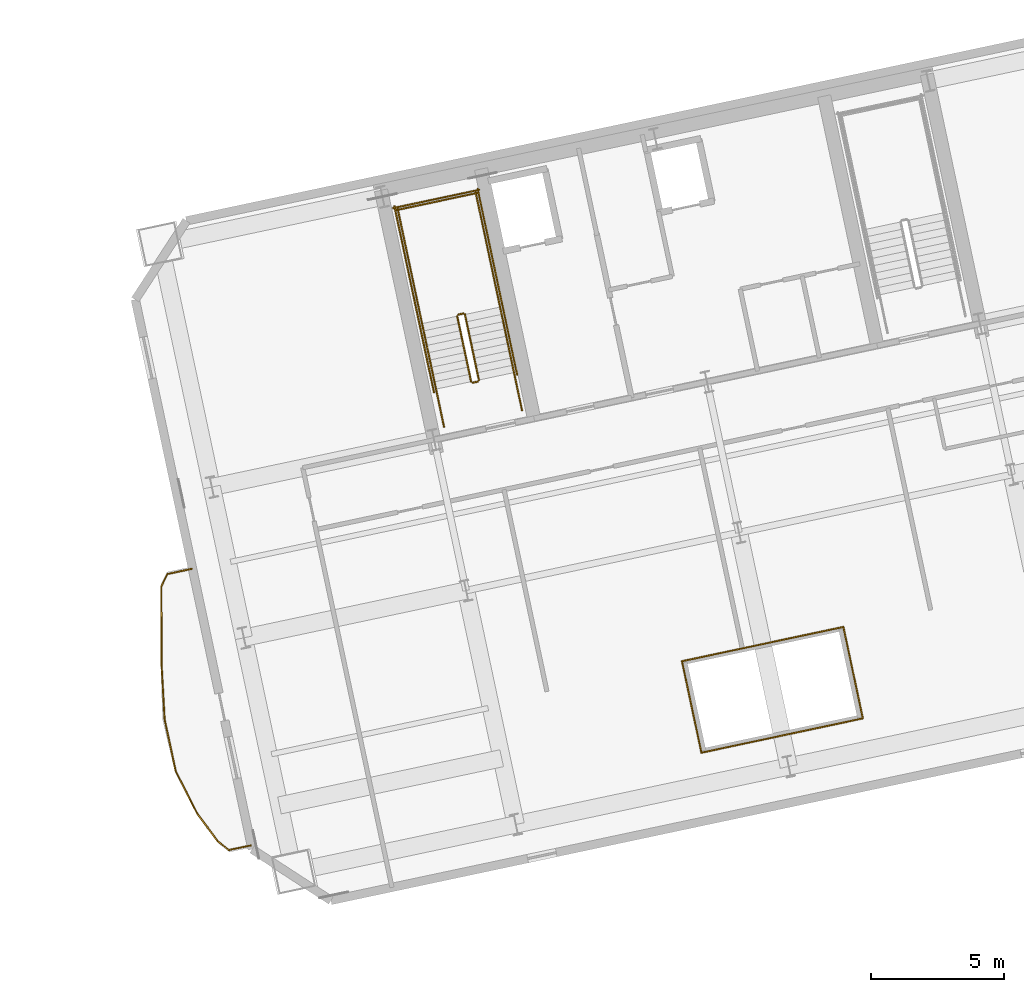
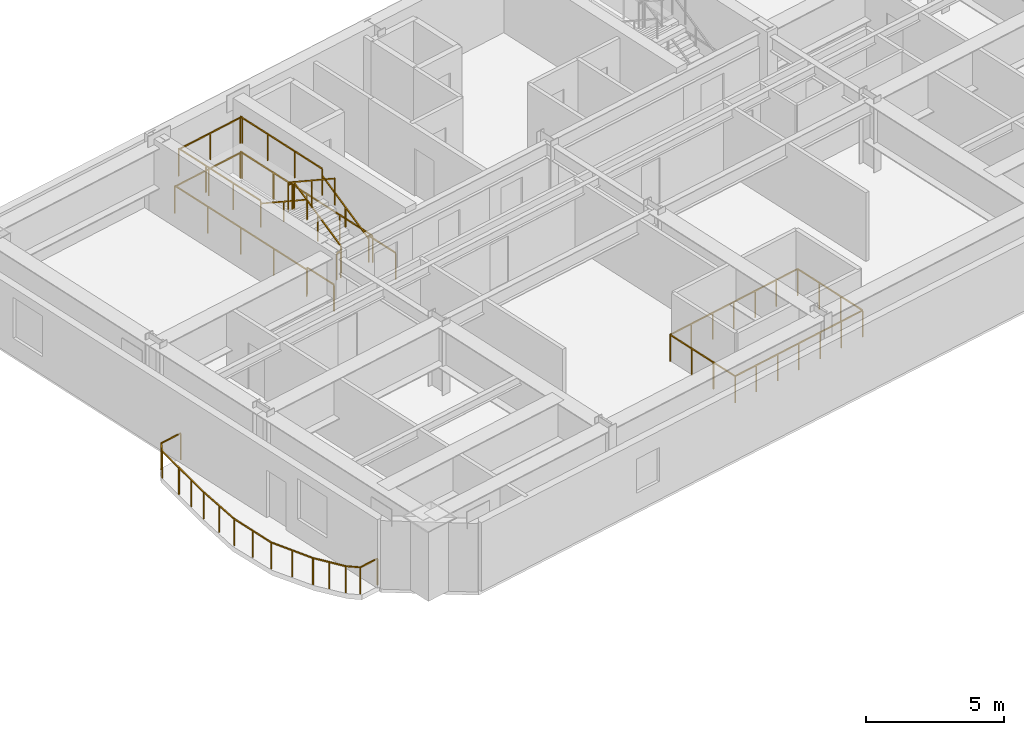
# One storey, part 14 of 15: 28 railings.
"""IFC4 building model written with IfcOpenShell, lengths in metres."""

from ifc_helpers import new_model, si_unit, direction, frame, origin, origin_2d, place, context, subcontext, project, spatial, rectangle, extrude, material, type_object, element, save


model = new_model("IFC4")

# Units and contexts
model_context = context("Model", 3, precision=1e-05, world=origin(), true_north=direction((0.0, 1.0)))
body_context = subcontext(model_context, "Body", "Model", "MODEL_VIEW")
ifc_project = project(units=[si_unit("LENGTHUNIT", "METRE"), si_unit("AREAUNIT", "SQUARE_METRE"), si_unit("VOLUMEUNIT", "CUBIC_METRE"), si_unit("PLANEANGLEUNIT", "RADIAN"), si_unit("MASSUNIT", "GRAM", prefix="KILO")], contexts=[model_context])

# Site, building, storey
site_placement = place(None, origin())
site = spatial("IfcSite", under=ifc_project, at=site_placement, CompositionType="ELEMENT")
building_placement = place(site_placement, origin())
building = spatial("IfcBuilding", under=site, at=building_placement, Name="Haevon Station Towers", CompositionType="ELEMENT")
storey_placement = place(building_placement, frame((0.0, 0.0, 109.800048828125)))
storey = spatial("IfcBuildingStorey", under=building, at=storey_placement, Name="L29", CompositionType="ELEMENT", Elevation=109.800048828125)

# Railings
ifc_material = material(Name="Steel S355", Category="steel")
railing_type_1 = type_object("IfcRailingType", Name="BAL-ATR1200", PredefinedType="BALUSTRADE", material=ifc_material)
railing_1_placement = place(storey_placement, frame((108.81591796875, 25.668212890625, 0.0)))
element("IfcRailing", 1, at=railing_1_placement, inside=storey, type_object=railing_type_1, Name="L29 Atrium Void Balustrade 1", PredefinedType="BALUSTRADE", context=body_context, shape_type="SweptSolid", body=[
    extrude(rectangle(XDim=0.048095703125, YDim=0.048095703125, at=origin_2d()), frame((0.0, 0.0, 1.17578125), z_axis=(0.97814235822, 0.207936353378, 0.0), x_axis=(-0.207936353378, 0.97814235822, 0.0)), (0.0, 0.0, 1.0), 6.208740234375),
    extrude(rectangle(XDim=0.0419921875, YDim=0.0419921875, at=origin_2d()), origin(), (0.0, 0.0, 1.0), 1.15185546875),
    extrude(rectangle(XDim=0.0419921875, YDim=0.0419921875, at=origin_2d()), frame((1.01220703125, 0.215087890625, 0.0)), (0.0, 0.0, 1.0), 1.15185546875),
    extrude(rectangle(XDim=0.0419921875, YDim=0.0419921875, at=origin_2d()), frame((2.0244140625, 0.430419921875, 0.0)), (0.0, 0.0, 1.0), 1.15185546875),
    extrude(rectangle(XDim=0.0419921875, YDim=0.0419921875, at=origin_2d()), frame((3.03662109375, 0.6455078125, 0.0)), (0.0, 0.0, 1.0), 1.15185546875),
    extrude(rectangle(XDim=0.0419921875, YDim=0.0419921875, at=origin_2d()), frame((4.048583984375, 0.860595703125, 0.0)), (0.0, 0.0, 1.0), 1.15185546875),
    extrude(rectangle(XDim=0.0419921875, YDim=0.0419921875, at=origin_2d()), frame((5.060791015625, 1.075927734375, 0.0)), (0.0, 0.0, 1.0), 1.15185546875),
    extrude(rectangle(XDim=0.0419921875, YDim=0.0419921875, at=origin_2d()), frame((6.072998046875, 1.291015625, 0.0)), (0.0, 0.0, 1.0), 1.15185546875),
])
railing_2_placement = place(storey_placement, frame((114.888916015625, 26.959228515625, 0.0)))
element("IfcRailing", 2, at=railing_2_placement, inside=storey, type_object=railing_type_1, Name="L29 Atrium Void Balustrade 2", PredefinedType="BALUSTRADE", context=body_context, shape_type="SweptSolid", body=[
    extrude(rectangle(XDim=0.048095703125, YDim=0.048095703125, at=origin_2d()), frame((0.0, 0.0, 1.17578125), z_axis=(-0.207898592019, 0.978150384878, 0.0), x_axis=(-0.978150384878, -0.207898592019, 0.0)), (0.0, 0.0, 1.0), 3.518310546875),
    extrude(rectangle(XDim=0.0419921875, YDim=0.0419921875, at=origin_2d()), origin(), (0.0, 0.0, 1.0), 1.15185546875),
    extrude(rectangle(XDim=0.0419921875, YDim=0.0419921875, at=origin_2d()), frame((-0.243896484375, 1.147216796875, 0.0)), (0.0, 0.0, 1.0), 1.15185546875),
    extrude(rectangle(XDim=0.0419921875, YDim=0.0419921875, at=origin_2d()), frame((-0.487548828125, 2.294189453125, 0.0)), (0.0, 0.0, 1.0), 1.15185546875),
    extrude(rectangle(XDim=0.0419921875, YDim=0.0419921875, at=origin_2d()), frame((-0.7314453125, 3.44140625, 0.0)), (0.0, 0.0, 1.0), 1.15185546875),
])
railing_3_placement = place(storey_placement, frame((114.157470703125, 30.400634765625, 0.0)))
element("IfcRailing", 3, at=railing_3_placement, inside=storey, type_object=railing_type_1, Name="L29 Atrium Void Balustrade 3", PredefinedType="BALUSTRADE", context=body_context, shape_type="SweptSolid", body=[
    extrude(rectangle(XDim=0.048095703125, YDim=0.048095703125, at=origin_2d()), frame((0.0, 0.0, 1.17578125), z_axis=(-0.978144058321, -0.207928355861, 0.0), x_axis=(0.207928355861, -0.978144058321, 0.0)), (0.0, 0.0, 1.0), 6.208984375),
    extrude(rectangle(XDim=0.0419921875, YDim=0.0419921875, at=origin_2d()), origin(), (0.0, 0.0, 1.0), 1.15185546875),
    extrude(rectangle(XDim=0.0419921875, YDim=0.0419921875, at=origin_2d()), frame((-1.01220703125, -0.215087890625, 0.0)), (0.0, 0.0, 1.0), 1.15185546875),
    extrude(rectangle(XDim=0.0419921875, YDim=0.0419921875, at=origin_2d()), frame((-2.0244140625, -0.430419921875, 0.0)), (0.0, 0.0, 1.0), 1.15185546875),
    extrude(rectangle(XDim=0.0419921875, YDim=0.0419921875, at=origin_2d()), frame((-3.03662109375, -0.6455078125, 0.0)), (0.0, 0.0, 1.0), 1.15185546875),
    extrude(rectangle(XDim=0.0419921875, YDim=0.0419921875, at=origin_2d()), frame((-4.048828125, -0.860595703125, 0.0)), (0.0, 0.0, 1.0), 1.15185546875),
    extrude(rectangle(XDim=0.0419921875, YDim=0.0419921875, at=origin_2d()), frame((-5.06103515625, -1.075927734375, 0.0)), (0.0, 0.0, 1.0), 1.15185546875),
    extrude(rectangle(XDim=0.0419921875, YDim=0.0419921875, at=origin_2d()), frame((-6.0732421875, -1.291015625, 0.0)), (0.0, 0.0, 1.0), 1.15185546875),
])
railing_4_placement = place(storey_placement, frame((108.084228515625, 29.109619140625, 0.0)))
element("IfcRailing", 4, at=railing_4_placement, inside=storey, type_object=railing_type_1, Name="L29 Atrium Void Balustrade 4", PredefinedType="BALUSTRADE", context=body_context, shape_type="SweptSolid", body=[
    extrude(rectangle(XDim=0.048095703125, YDim=0.048095703125, at=origin_2d()), frame((0.0, 0.0, 1.17578125), z_axis=(0.207964983384, -0.978136271532, 0.0), x_axis=(0.978136271532, 0.207964983384, 0.0)), (0.0, 0.0, 1.0), 3.518310546875),
    extrude(rectangle(XDim=0.0419921875, YDim=0.0419921875, at=origin_2d()), origin(), (0.0, 0.0, 1.0), 1.15185546875),
    extrude(rectangle(XDim=0.0419921875, YDim=0.0419921875, at=origin_2d()), frame((0.243896484375, -1.147216796875, 0.0)), (0.0, 0.0, 1.0), 1.15185546875),
    extrude(rectangle(XDim=0.0419921875, YDim=0.0419921875, at=origin_2d()), frame((0.48779296875, -2.294189453125, 0.0)), (0.0, 0.0, 1.0), 1.15185546875),
    extrude(rectangle(XDim=0.0419921875, YDim=0.0419921875, at=origin_2d()), frame((0.731689453125, -3.44140625, 0.0)), (0.0, 0.0, 1.0), 1.15185546875),
])
railing_type_2 = type_object("IfcRailingType", Name="GRD-EXT1200", PredefinedType="GUARDRAIL", material=ifc_material)
railing_5_placement = place(storey_placement, frame((89.638916015625, 32.588623046875, 0.0)))
element("IfcRailing", 5, at=railing_5_placement, inside=storey, type_object=railing_type_2, Name="L29 Perimeter Guardrail 1", PredefinedType="GUARDRAIL", context=body_context, shape_type="SweptSolid", body=[
    extrude(rectangle(XDim=0.048095703125, YDim=0.048095703125, at=origin_2d()), frame((0.0, 0.0, 1.17578125), z_axis=(-0.97773800114, -0.209829457244, 0.0), x_axis=(0.209829457244, -0.97773800114, 0.0)), (0.0, 0.0, 1.0), 0.943603515625),
    extrude(rectangle(XDim=0.0419921875, YDim=0.0419921875, at=origin_2d()), origin(), (0.0, 0.0, 1.0), 1.15185546875),
    extrude(rectangle(XDim=0.0419921875, YDim=0.0419921875, at=origin_2d()), frame((-0.922607421875, -0.197998046875, 0.0)), (0.0, 0.0, 1.0), 1.15185546875),
])
railing_6_placement = place(storey_placement, frame((88.71630859375, 32.390625, 0.0)))
element("IfcRailing", 6, at=railing_6_placement, inside=storey, type_object=railing_type_2, Name="L29 Perimeter Guardrail 2", PredefinedType="GUARDRAIL", context=body_context, shape_type="SweptSolid", body=[
    extrude(rectangle(XDim=0.048095703125, YDim=0.048095703125, at=origin_2d()), frame((0.0, 0.0, 1.17578125), z_axis=(-0.441418206512, -0.897301491673, 0.0), x_axis=(0.897301491673, -0.441418206512, 0.0)), (0.0, 0.0, 1.0), 0.523193359375),
    extrude(rectangle(XDim=0.0419921875, YDim=0.0419921875, at=origin_2d()), origin(), (0.0, 0.0, 1.0), 1.15185546875),
    extrude(rectangle(XDim=0.0419921875, YDim=0.0419921875, at=origin_2d()), frame((-0.23095703125, -0.469482421875, 0.0)), (0.0, 0.0, 1.0), 1.15185546875),
])
railing_7_placement = place(storey_placement, frame((88.4853515625, 31.921142578125, 0.0)))
element("IfcRailing", 7, at=railing_7_placement, inside=storey, type_object=railing_type_2, Name="L29 Perimeter Guardrail 3", PredefinedType="GUARDRAIL", context=body_context, shape_type="SweptSolid", body=[
    extrude(rectangle(XDim=0.048095703125, YDim=0.048095703125, at=origin_2d()), frame((0.0, 0.0, 1.17578125), z_axis=(0.005924308699, -0.999982451129, 0.0), x_axis=(0.999982451129, 0.005924308699, 0.0)), (0.0, 0.0, 1.0), 1.195068359375),
    extrude(rectangle(XDim=0.0419921875, YDim=0.0419921875, at=origin_2d()), origin(), (0.0, 0.0, 1.0), 1.15185546875),
    extrude(rectangle(XDim=0.0419921875, YDim=0.0419921875, at=origin_2d()), frame((0.007080078125, -1.195068359375, 0.0)), (0.0, 0.0, 1.0), 1.15185546875),
])
railing_8_placement = place(storey_placement, frame((88.492431640625, 30.72607421875, 0.0)))
element("IfcRailing", 8, at=railing_8_placement, inside=storey, type_object=railing_type_2, Name="L29 Perimeter Guardrail 4", PredefinedType="GUARDRAIL", context=body_context, shape_type="SweptSolid", body=[
    extrude(rectangle(XDim=0.048095703125, YDim=0.048095703125, at=origin_2d()), frame((0.0, 0.0, 1.17578125), z_axis=(0.004374530938, -0.999990431694, 0.0), x_axis=(0.999990431694, 0.004374530938, 0.0)), (0.0, 0.0, 1.0), 1.785888671875),
    extrude(rectangle(XDim=0.0419921875, YDim=0.0419921875, at=origin_2d()), origin(), (0.0, 0.0, 1.0), 1.15185546875),
    extrude(rectangle(XDim=0.0419921875, YDim=0.0419921875, at=origin_2d()), frame((0.00390625, -0.89306640625, 0.0)), (0.0, 0.0, 1.0), 1.15185546875),
    extrude(rectangle(XDim=0.0419921875, YDim=0.0419921875, at=origin_2d()), frame((0.0078125, -1.785888671875, 0.0)), (0.0, 0.0, 1.0), 1.15185546875),
])
railing_9_placement = place(storey_placement, frame((88.500244140625, 28.940185546875, 0.0)))
element("IfcRailing", 9, at=railing_9_placement, inside=storey, type_object=railing_type_2, Name="L29 Perimeter Guardrail 5", PredefinedType="GUARDRAIL", context=body_context, shape_type="SweptSolid", body=[
    extrude(rectangle(XDim=0.048095703125, YDim=0.048095703125, at=origin_2d()), frame((0.0, 0.0, 1.17578125), z_axis=(0.055523734139, -0.998457367616, 0.0), x_axis=(0.998457367616, 0.055523734139, 0.0)), (0.0, 0.0, 1.0), 2.013916015625),
    extrude(rectangle(XDim=0.0419921875, YDim=0.0419921875, at=origin_2d()), origin(), (0.0, 0.0, 1.0), 1.15185546875),
    extrude(rectangle(XDim=0.0419921875, YDim=0.0419921875, at=origin_2d()), frame((0.055908203125, -1.00537109375, 0.0)), (0.0, 0.0, 1.0), 1.15185546875),
    extrude(rectangle(XDim=0.0419921875, YDim=0.0419921875, at=origin_2d()), frame((0.11181640625, -2.0107421875, 0.0)), (0.0, 0.0, 1.0), 1.15185546875),
])
railing_10_placement = place(storey_placement, frame((88.612060546875, 26.929443359375, 0.0)))
element("IfcRailing", 10, at=railing_10_placement, inside=storey, type_object=railing_type_2, Name="L29 Perimeter Guardrail 6", PredefinedType="GUARDRAIL", context=body_context, shape_type="SweptSolid", body=[
    extrude(rectangle(XDim=0.048095703125, YDim=0.048095703125, at=origin_2d()), frame((0.0, 0.0, 1.17578125), z_axis=(0.208768076767, -0.97796517838, 0.0), x_axis=(0.97796517838, 0.208768076767, 0.0)), (0.0, 0.0, 1.0), 1.993896484375),
    extrude(rectangle(XDim=0.0419921875, YDim=0.0419921875, at=origin_2d()), origin(), (0.0, 0.0, 1.0), 1.15185546875),
    extrude(rectangle(XDim=0.0419921875, YDim=0.0419921875, at=origin_2d()), frame((0.2080078125, -0.97509765625, 0.0)), (0.0, 0.0, 1.0), 1.15185546875),
    extrude(rectangle(XDim=0.0419921875, YDim=0.0419921875, at=origin_2d()), frame((0.416259765625, -1.949951171875, 0.0)), (0.0, 0.0, 1.0), 1.15185546875),
])
railing_11_placement = place(storey_placement, frame((89.0283203125, 24.9794921875, 0.0)))
element("IfcRailing", 11, at=railing_11_placement, inside=storey, type_object=railing_type_2, Name="L29 Perimeter Guardrail 7", PredefinedType="GUARDRAIL", context=body_context, shape_type="SweptSolid", body=[
    extrude(rectangle(XDim=0.048095703125, YDim=0.048095703125, at=origin_2d()), frame((0.0, 0.0, 1.17578125), z_axis=(0.452343412566, -0.891843841212, 0.0), x_axis=(0.891843841212, 0.452343412566, 0.0)), (0.0, 0.0, 1.0), 1.805908203125),
    extrude(rectangle(XDim=0.0419921875, YDim=0.0419921875, at=origin_2d()), origin(), (0.0, 0.0, 1.0), 1.15185546875),
    extrude(rectangle(XDim=0.0419921875, YDim=0.0419921875, at=origin_2d()), frame((0.408447265625, -0.80517578125, 0.0)), (0.0, 0.0, 1.0), 1.15185546875),
    extrude(rectangle(XDim=0.0419921875, YDim=0.0419921875, at=origin_2d()), frame((0.81689453125, -1.610595703125, 0.0)), (0.0, 0.0, 1.0), 1.15185546875),
])
railing_12_placement = place(storey_placement, frame((89.84521484375, 23.368896484375, 0.0)))
element("IfcRailing", 12, at=railing_12_placement, inside=storey, type_object=railing_type_2, Name="L29 Perimeter Guardrail 8", PredefinedType="GUARDRAIL", context=body_context, shape_type="SweptSolid", body=[
    extrude(rectangle(XDim=0.048095703125, YDim=0.048095703125, at=origin_2d()), frame((0.0, 0.0, 1.17578125), z_axis=(0.595740307226, -0.803177120159, 0.0), x_axis=(0.803177120159, 0.595740307226, 0.0)), (0.0, 0.0, 1.0), 1.286376953125),
    extrude(rectangle(XDim=0.0419921875, YDim=0.0419921875, at=origin_2d()), origin(), (0.0, 0.0, 1.0), 1.15185546875),
    extrude(rectangle(XDim=0.0419921875, YDim=0.0419921875, at=origin_2d()), frame((0.38330078125, -0.5166015625, 0.0)), (0.0, 0.0, 1.0), 1.15185546875),
    extrude(rectangle(XDim=0.0419921875, YDim=0.0419921875, at=origin_2d()), frame((0.766357421875, -1.033203125, 0.0)), (0.0, 0.0, 1.0), 1.15185546875),
])
railing_13_placement = place(storey_placement, frame((90.611572265625, 22.335693359375, 0.0)))
element("IfcRailing", 13, at=railing_13_placement, inside=storey, type_object=railing_type_2, Name="L29 Perimeter Guardrail 9", PredefinedType="GUARDRAIL", context=body_context, shape_type="SweptSolid", body=[
    extrude(rectangle(XDim=0.048095703125, YDim=0.048095703125, at=origin_2d()), frame((0.0, 0.0, 1.17578125), z_axis=(0.785652946702, -0.618667477194, 0.0), x_axis=(0.618667477194, 0.785652946702, 0.0)), (0.0, 0.0, 1.0), 0.53515625),
    extrude(rectangle(XDim=0.0419921875, YDim=0.0419921875, at=origin_2d()), origin(), (0.0, 0.0, 1.0), 1.15185546875),
    extrude(rectangle(XDim=0.0419921875, YDim=0.0419921875, at=origin_2d()), frame((0.42041015625, -0.3310546875, 0.0)), (0.0, 0.0, 1.0), 1.15185546875),
])
railing_14_placement = place(storey_placement, frame((91.031982421875, 22.004638671875, 0.0)))
element("IfcRailing", 14, at=railing_14_placement, inside=storey, type_object=railing_type_2, Name="L29 Perimeter Guardrail 10", PredefinedType="GUARDRAIL", context=body_context, shape_type="SweptSolid", body=[
    extrude(rectangle(XDim=0.048095703125, YDim=0.048095703125, at=origin_2d()), frame((0.0, 0.0, 1.17578125), z_axis=(0.978617737227, 0.20568744343, 0.0), x_axis=(-0.20568744343, 0.978617737227, 0.0)), (0.0, 0.0, 1.0), 0.837890625),
    extrude(rectangle(XDim=0.0419921875, YDim=0.0419921875, at=origin_2d()), origin(), (0.0, 0.0, 1.0), 1.15185546875),
    extrude(rectangle(XDim=0.0419921875, YDim=0.0419921875, at=origin_2d()), frame((0.820068359375, 0.17236328125, 0.0)), (0.0, 0.0, 1.0), 1.15185546875),
])
railing_type_3 = type_object("IfcRailingType", Name="GRD-STR1200", PredefinedType="GUARDRAIL", material=ifc_material)
railing_15_placement = place(storey_placement, frame((100.44140625, 39.69287109375, 0.1650390625)))
element("IfcRailing", 15, at=railing_15_placement, inside=storey, type_object=railing_type_3, Name="L29 ST3 Stair Guard 1", PredefinedType="GUARDRAIL", context=body_context, shape_type="SweptSolid", body=[
    extrude(rectangle(XDim=0.048095703125, YDim=0.048095703125, at=origin_2d()), frame((0.0, 0.0, 1.17578125), z_axis=(-0.179128856099, 0.842723639875, 0.507670877349), x_axis=(-0.978147030254, -0.207914374695, 0.0)), (0.0, 0.0, 1.0), 2.9248046875),
    extrude(rectangle(XDim=0.0419921875, YDim=0.0419921875, at=origin_2d()), origin(), (0.0, 0.0, 1.0), 1.15185546875),
    extrude(rectangle(XDim=0.0419921875, YDim=0.0419921875, at=origin_2d()), frame((-0.261962890625, 1.232421875, 0.742431640625)), (0.0, 0.0, 1.0), 1.15185546875),
    extrude(rectangle(XDim=0.0419921875, YDim=0.0419921875, at=origin_2d()), frame((-0.52392578125, 2.46484375, 1.48486328125)), (0.0, 0.0, 1.0), 1.15185546875),
])
railing_16_placement = place(storey_placement, frame((99.858154296875, 42.1962890625, 1.64990234375)))
element("IfcRailing", 16, at=railing_16_placement, inside=storey, type_object=railing_type_3, Name="L29 ST3 Stair Guard 2", PredefinedType="GUARDRAIL", context=body_context, shape_type="SweptSolid", body=[
    extrude(rectangle(XDim=0.048095703125, YDim=0.048095703125, at=origin_2d()), frame((0.0, 0.0, 1.17578125), z_axis=(-0.977962931203, -0.208778603291, 0.0), x_axis=(0.208778603291, -0.977962931203, 0.0)), (0.0, 0.0, 1.0), 0.199951171875),
    extrude(rectangle(XDim=0.0419921875, YDim=0.0419921875, at=origin_2d()), origin(), (0.0, 0.0, 1.0), 1.15185546875),
    extrude(rectangle(XDim=0.0419921875, YDim=0.0419921875, at=origin_2d()), frame((-0.195556640625, -0.041748046875, 0.0)), (0.0, 0.0, 1.0), 1.15185546875),
])
railing_17_placement = place(storey_placement, frame((101.238037109375, 42.4384765625, 1.64990234375)))
element("IfcRailing", 17, at=railing_17_placement, inside=storey, type_object=railing_type_3, Name="L29 ST3 Stair Guard 3", PredefinedType="GUARDRAIL", context=body_context, shape_type="SweptSolid", body=[
    extrude(rectangle(XDim=0.048095703125, YDim=0.048095703125, at=origin_2d()), frame((0.0, 0.0, 1.17578125), z_axis=(-0.20794048909, 0.978141479029, 0.0), x_axis=(-0.978141479029, -0.20794048909, 0.0)), (0.0, 0.0, 1.0), 4.429931640625),
    extrude(rectangle(XDim=0.0419921875, YDim=0.0419921875, at=origin_2d()), origin(), (0.0, 0.0, 1.0), 1.15185546875),
    extrude(rectangle(XDim=0.0419921875, YDim=0.0419921875, at=origin_2d()), frame((-0.30712890625, 1.4443359375, 0.0)), (0.0, 0.0, 1.0), 1.15185546875),
    extrude(rectangle(XDim=0.0419921875, YDim=0.0419921875, at=origin_2d()), frame((-0.614013671875, 2.888671875, 0.0)), (0.0, 0.0, 1.0), 1.15185546875),
    extrude(rectangle(XDim=0.0419921875, YDim=0.0419921875, at=origin_2d()), frame((-0.921142578125, 4.3330078125, 0.0)), (0.0, 0.0, 1.0), 1.15185546875),
])
railing_18_placement = place(storey_placement, frame((98.303466796875, 41.814697265625, 1.64990234375)))
element("IfcRailing", 18, at=railing_18_placement, inside=storey, type_object=railing_type_3, Name="L29 ST3 Stair Guard 4", PredefinedType="GUARDRAIL", context=body_context, shape_type="SweptSolid", body=[
    extrude(rectangle(XDim=0.048095703125, YDim=0.048095703125, at=origin_2d()), frame((0.0, 0.0, 1.17578125), z_axis=(-0.207876551949, 0.978155069071, 0.0), x_axis=(-0.978155069071, -0.207876551949, 0.0)), (0.0, 0.0, 1.0), 4.429931640625),
    extrude(rectangle(XDim=0.0419921875, YDim=0.0419921875, at=origin_2d()), origin(), (0.0, 0.0, 1.0), 1.15185546875),
    extrude(rectangle(XDim=0.0419921875, YDim=0.0419921875, at=origin_2d()), frame((-0.306884765625, 1.4443359375, 0.0)), (0.0, 0.0, 1.0), 1.15185546875),
    extrude(rectangle(XDim=0.0419921875, YDim=0.0419921875, at=origin_2d()), frame((-0.614013671875, 2.888916015625, 0.0)), (0.0, 0.0, 1.0), 1.15185546875),
    extrude(rectangle(XDim=0.0419921875, YDim=0.0419921875, at=origin_2d()), frame((-0.9208984375, 4.333251953125, 0.0)), (0.0, 0.0, 1.0), 1.15185546875),
])
railing_19_placement = place(storey_placement, frame((100.376220703125, 46.733154296875, 1.64990234375)))
element("IfcRailing", 19, at=railing_19_placement, inside=storey, type_object=railing_type_3, Name="L29 ST3 Stair Guard 5", PredefinedType="GUARDRAIL", context=body_context, shape_type="SweptSolid", body=[
    extrude(rectangle(XDim=0.048095703125, YDim=0.048095703125, at=origin_2d()), frame((0.0, 0.0, 1.17578125), z_axis=(-0.978146839882, -0.207915270313, 0.0), x_axis=(0.207915270313, -0.978146839882, 0.0)), (0.0, 0.0, 1.0), 3.099853515625),
    extrude(rectangle(XDim=0.0419921875, YDim=0.0419921875, at=origin_2d()), origin(), (0.0, 0.0, 1.0), 1.15185546875),
    extrude(rectangle(XDim=0.0419921875, YDim=0.0419921875, at=origin_2d()), frame((-1.51611328125, -0.322265625, 0.0)), (0.0, 0.0, 1.0), 1.15185546875),
    extrude(rectangle(XDim=0.0419921875, YDim=0.0419921875, at=origin_2d()), frame((-3.0322265625, -0.64453125, 0.0)), (0.0, 0.0, 1.0), 1.15185546875),
])
railing_20_placement = place(storey_placement, frame((99.6240234375, 42.09521484375, 1.81494140625)))
element("IfcRailing", 20, at=railing_20_placement, inside=storey, type_object=railing_type_3, Name="L29 ST3 Stair Guard 6", PredefinedType="GUARDRAIL", context=body_context, shape_type="SweptSolid", body=[
    extrude(rectangle(XDim=0.048095703125, YDim=0.048095703125, at=origin_2d()), frame((0.0, 0.0, 1.17578125), z_axis=(0.179121265225, -0.842687928106, 0.507732831485), x_axis=(0.978147030254, 0.207914374695, 0.0)), (0.0, 0.0, 1.0), 2.925048828125),
    extrude(rectangle(XDim=0.0419921875, YDim=0.0419921875, at=origin_2d()), origin(), (0.0, 0.0, 1.0), 1.15185546875),
    extrude(rectangle(XDim=0.0419921875, YDim=0.0419921875, at=origin_2d()), frame((0.261962890625, -1.232421875, 0.74267578125)), (0.0, 0.0, 1.0), 1.15185546875),
    extrude(rectangle(XDim=0.0419921875, YDim=0.0419921875, at=origin_2d()), frame((0.52392578125, -2.46484375, 1.485107421875)), (0.0, 0.0, 1.0), 1.15185546875),
])
railing_21_placement = place(storey_placement, frame((100.40283203125, 39.633544921875, 0.0)))
element("IfcRailing", 21, at=railing_21_placement, inside=storey, type_object=railing_type_3, Name="L29 ST3 Stair Guard 7", PredefinedType="GUARDRAIL", context=body_context, shape_type="SweptSolid", body=[
    extrude(rectangle(XDim=0.048095703125, YDim=0.048095703125, at=origin_2d()), frame((0.0, 0.0, 1.17578125), z_axis=(-0.977962931203, -0.208778603291, 0.0), x_axis=(0.208778603291, -0.977962931203, 0.0)), (0.0, 0.0, 1.0), 0.199951171875),
    extrude(rectangle(XDim=0.0419921875, YDim=0.0419921875, at=origin_2d()), origin(), (0.0, 0.0, 1.0), 1.15185546875),
    extrude(rectangle(XDim=0.0419921875, YDim=0.0419921875, at=origin_2d()), frame((-0.195556640625, -0.041748046875, 0.0)), (0.0, 0.0, 1.0), 1.15185546875),
])
for number, where, name in (
    (22, (102.0634765625, 38.55517578125, 0.0), "L29 ST3 Stair Guard 8"),
    (23, (99.12890625, 37.931396484375, 0.0), "L29 ST3 Stair Guard 9"),
):
    element("IfcRailing", number, at=place(storey_placement, frame(where)), inside=storey, type_object=railing_type_3, Name=name, PredefinedType="GUARDRAIL", context=body_context, shape_type="SweptSolid", body=[
        extrude(rectangle(XDim=0.048095703125, YDim=0.048095703125, at=origin_2d()), frame((0.0, 0.0, 1.17578125), z_axis=(-0.207953405961, 0.978138732977, 0.0), x_axis=(-0.978138732977, -0.207953405961, 0.0)), (0.0, 0.0, 1.0), 1.449951171875),
        extrude(rectangle(XDim=0.0419921875, YDim=0.0419921875, at=origin_2d()), origin(), (0.0, 0.0, 1.0), 1.15185546875),
        extrude(rectangle(XDim=0.0419921875, YDim=0.0419921875, at=origin_2d()), frame((-0.301513671875, 1.418212890625, 0.0)), (0.0, 0.0, 1.0), 1.15185546875),
    ])
railing_22_placement = place(storey_placement, frame((101.88037109375, 39.896484375, 0.0)))
element("IfcRailing", 24, at=railing_22_placement, inside=storey, type_object=railing_type_3, Name="L29 ST3 Stair Guard 10", PredefinedType="GUARDRAIL", context=body_context, shape_type="SweptSolid", body=[
    extrude(rectangle(XDim=0.048095703125, YDim=0.048095703125, at=origin_2d()), frame((0.0, 0.0, 1.17578125), z_axis=(-0.207882442208, 0.978153817261, 0.0), x_axis=(-0.978153817261, -0.207882442208, 0.0)), (0.0, 0.0, 1.0), 7.14990234375),
    extrude(rectangle(XDim=0.0419921875, YDim=0.0419921875, at=origin_2d()), origin(), (0.0, 0.0, 1.0), 1.15185546875),
    extrude(rectangle(XDim=0.0419921875, YDim=0.0419921875, at=origin_2d()), frame((-0.37158203125, 1.74853515625, 0.0)), (0.0, 0.0, 1.0), 1.15185546875),
    extrude(rectangle(XDim=0.0419921875, YDim=0.0419921875, at=origin_2d()), frame((-0.7431640625, 3.496826171875, 0.0)), (0.0, 0.0, 1.0), 1.15185546875),
    extrude(rectangle(XDim=0.0419921875, YDim=0.0419921875, at=origin_2d()), frame((-1.11474609375, 5.2451171875, 0.0)), (0.0, 0.0, 1.0), 1.15185546875),
    extrude(rectangle(XDim=0.0419921875, YDim=0.0419921875, at=origin_2d()), frame((-1.486328125, 6.99365234375, 0.0)), (0.0, 0.0, 1.0), 1.15185546875),
])
railing_23_placement = place(storey_placement, frame((98.75048828125, 39.231201171875, 0.0)))
element("IfcRailing", 25, at=railing_23_placement, inside=storey, type_object=railing_type_3, Name="L29 ST3 Stair Guard 11", PredefinedType="GUARDRAIL", context=body_context, shape_type="SweptSolid", body=[
    extrude(rectangle(XDim=0.048095703125, YDim=0.048095703125, at=origin_2d()), frame((0.0, 0.0, 1.17578125), z_axis=(-0.207915112487, 0.978146873429, 0.0), x_axis=(-0.978146873429, -0.207915112487, 0.0)), (0.0, 0.0, 1.0), 7.14990234375),
    extrude(rectangle(XDim=0.0419921875, YDim=0.0419921875, at=origin_2d()), origin(), (0.0, 0.0, 1.0), 1.15185546875),
    extrude(rectangle(XDim=0.0419921875, YDim=0.0419921875, at=origin_2d()), frame((-0.37158203125, 1.74853515625, 0.0)), (0.0, 0.0, 1.0), 1.15185546875),
    extrude(rectangle(XDim=0.0419921875, YDim=0.0419921875, at=origin_2d()), frame((-0.7431640625, 3.496826171875, 0.0)), (0.0, 0.0, 1.0), 1.15185546875),
    extrude(rectangle(XDim=0.0419921875, YDim=0.0419921875, at=origin_2d()), frame((-1.114990234375, 5.2451171875, 0.0)), (0.0, 0.0, 1.0), 1.15185546875),
    extrude(rectangle(XDim=0.0419921875, YDim=0.0419921875, at=origin_2d()), frame((-1.486572265625, 6.99365234375, 0.0)), (0.0, 0.0, 1.0), 1.15185546875),
])
railing_24_placement = place(storey_placement, frame((100.453125, 46.8515625, 0.0)))
element("IfcRailing", 26, at=railing_24_placement, inside=storey, type_object=railing_type_3, Name="L29 ST3 Stair Guard 12", PredefinedType="GUARDRAIL", context=body_context, shape_type="SweptSolid", body=[
    extrude(rectangle(XDim=0.048095703125, YDim=0.048095703125, at=origin_2d()), frame((0.0, 0.0, 1.17578125), z_axis=(-0.978150764849, -0.207896804268, 0.0), x_axis=(0.207896804268, -0.978150764849, 0.0)), (0.0, 0.0, 1.0), 3.2998046875),
    extrude(rectangle(XDim=0.0419921875, YDim=0.0419921875, at=origin_2d()), origin(), (0.0, 0.0, 1.0), 1.15185546875),
    extrude(rectangle(XDim=0.0419921875, YDim=0.0419921875, at=origin_2d()), frame((-1.61376953125, -0.343017578125, 0.0)), (0.0, 0.0, 1.0), 1.15185546875),
    extrude(rectangle(XDim=0.0419921875, YDim=0.0419921875, at=origin_2d()), frame((-3.227783203125, -0.68603515625, 0.0)), (0.0, 0.0, 1.0), 1.15185546875),
])
railing_type_4 = type_object("IfcRailingType", Name="HND-STR900", PredefinedType="HANDRAIL", material=ifc_material)
railing_25_placement = place(storey_placement, frame((101.761962890625, 39.973388671875, 0.1650390625)))
element("IfcRailing", 27, at=railing_25_placement, inside=storey, type_object=railing_type_4, Name="L29 ST3 Stair Handrail 1", PredefinedType="HANDRAIL", context=body_context, shape_type="SweptSolid", body=[
    extrude(rectangle(XDim=0.048095703125, YDim=0.048095703125, at=origin_2d()), frame((0.0, 0.0, 0.8759765625), z_axis=(-0.179116256339, 0.842747828638, 0.507635168246), x_axis=(-0.978151217824, -0.207894673017, 0.0)), (0.0, 0.0, 1.0), 2.925048828125),
    extrude(rectangle(XDim=0.0419921875, YDim=0.0419921875, at=origin_2d()), origin(), (0.0, 0.0, 1.0), 0.851806640625),
    extrude(rectangle(XDim=0.0419921875, YDim=0.0419921875, at=origin_2d()), frame((-0.261962890625, 1.232421875, 0.742431640625)), (0.0, 0.0, 1.0), 0.851806640625),
    extrude(rectangle(XDim=0.0419921875, YDim=0.0419921875, at=origin_2d()), frame((-0.52392578125, 2.465087890625, 1.48486328125)), (0.0, 0.0, 1.0), 0.851806640625),
])
railing_26_placement = place(storey_placement, frame((98.303466796875, 41.814697265625, 1.81494140625)))
element("IfcRailing", 28, at=railing_26_placement, inside=storey, type_object=railing_type_4, Name="L29 ST3 Stair Handrail 2", PredefinedType="HANDRAIL", context=body_context, shape_type="SweptSolid", body=[
    extrude(rectangle(XDim=0.048095703125, YDim=0.048095703125, at=origin_2d()), frame((0.0, 0.0, 0.8759765625), z_axis=(0.179108667068, -0.842712120868, 0.50769712105), x_axis=(0.978151217824, 0.207894673017, 0.0)), (0.0, 0.0, 1.0), 2.92529296875),
    extrude(rectangle(XDim=0.0419921875, YDim=0.0419921875, at=origin_2d()), origin(), (0.0, 0.0, 1.0), 0.851806640625),
    extrude(rectangle(XDim=0.0419921875, YDim=0.0419921875, at=origin_2d()), frame((0.261962890625, -1.232421875, 0.74267578125)), (0.0, 0.0, 1.0), 0.851806640625),
    extrude(rectangle(XDim=0.0419921875, YDim=0.0419921875, at=origin_2d()), frame((0.52392578125, -2.465087890625, 1.485107421875)), (0.0, 0.0, 1.0), 0.851806640625),
])

save(model, "model.ifc")
